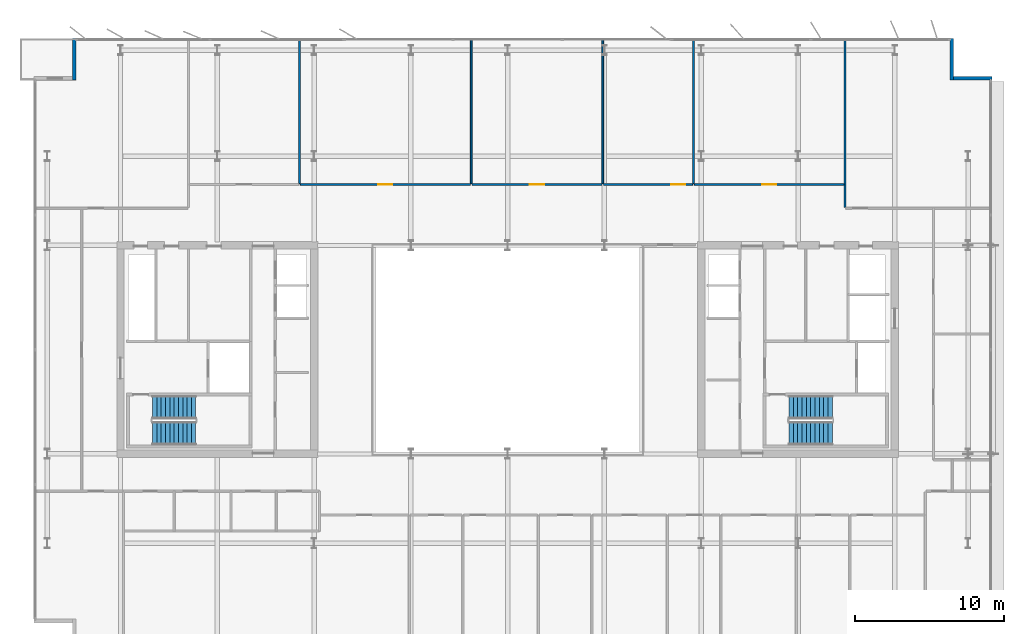
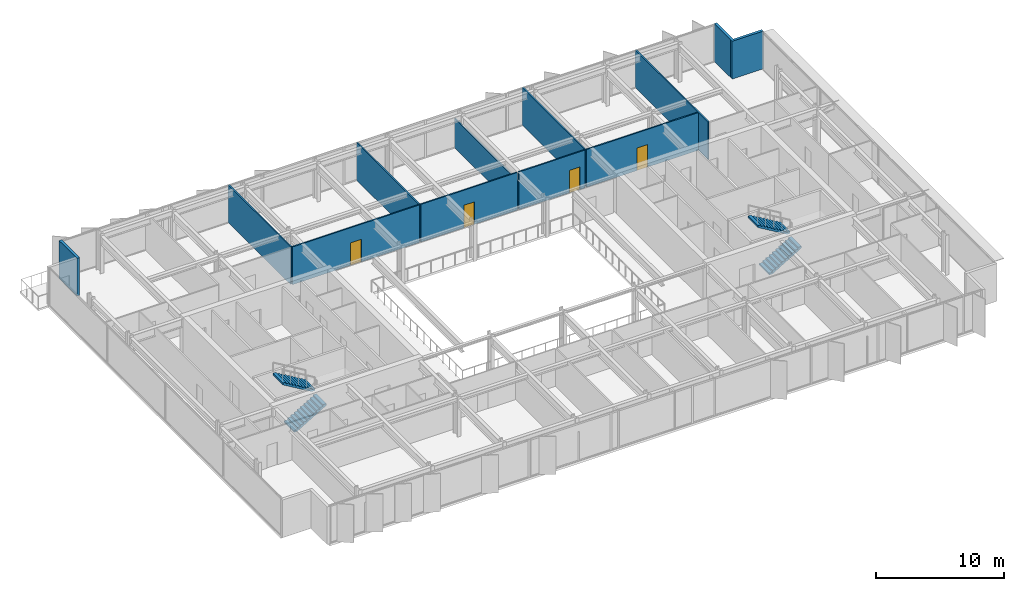
# One storey, part 16 of 20: 12 walls, 4 doors, 4 stair flights, 4 openings, 2 elements without a shape of their own.
"""IFC4 building model written with IfcOpenShell, lengths in metres."""

from ifc_helpers import new_model, si_unit, direction, frame, frame_2d, origin, place, context, subcontext, project, spatial, polyline, rectangle, outline, extrude, material, layer, layer_set, type_object, element, fill, aggregate, save


model = new_model("IFC4")

# Units and contexts
model_context = context("Model", 3, precision=1e-05, world=origin(), true_north=direction((0.0, 1.0)))
body_context = subcontext(model_context, "Body", "Model", "MODEL_VIEW")
ifc_project = project(units=[si_unit("LENGTHUNIT", "METRE"), si_unit("AREAUNIT", "SQUARE_METRE"), si_unit("VOLUMEUNIT", "CUBIC_METRE"), si_unit("PLANEANGLEUNIT", "RADIAN"), si_unit("MASSUNIT", "GRAM", prefix="KILO")], contexts=[model_context])

# Site, building, storey
site_placement = place(None, origin())
site = spatial("IfcSite", under=ifc_project, at=site_placement, CompositionType="ELEMENT")
building_placement = place(site_placement, origin())
building = spatial("IfcBuilding", under=site, at=building_placement, Name="Putna Gate Headquarters", CompositionType="ELEMENT")
storey_placement = place(building_placement, frame((0.0, 0.0, 270.800048828125)))
storey = spatial("IfcBuildingStorey", under=building, at=storey_placement, Name="L68", CompositionType="ELEMENT", Elevation=270.800048828125)

# Walls
ifc_material_1 = material(Name="Precast concrete C40/50", Category="concrete")
ifc_layer_1 = layer(ifc_material_1, 0.239990234375)
ifc_layer_set_1 = layer_set([ifc_layer_1], Name="Precast concrete C40/50")
wall_type_1 = type_object("IfcWallType", Name="WALL-EXT-TERR-240", PredefinedType="STANDARD", material=ifc_layer_set_1)
for number, where, z_axis, x_axis, name in (
    (1, (9.8798828125, 44.10009765625, 0.0), (0.0, 0.0, 1.0), (0.0, 1.0, 0.0), "L68 Corner Notch Return Wall NW-V"),
    (2, (68.832763671875, 46.89990234375, 0.0), (0.0, 0.0, 1.0), (0.0, -1.0, 0.0), "L68 Corner Notch Return Wall NE-V"),
):
    element("IfcWall", number, at=place(storey_placement, frame(where, z_axis=z_axis, x_axis=x_axis)), inside=storey, type_object=wall_type_1, Name=name, PredefinedType="STANDARD", context=body_context, shape_type="SweptSolid", body=[
        extrude(rectangle(XDim=2.7998046875, YDim=0.239990234375, at=frame_2d((1.39990234375, 0.0))), origin(), (0.0, 0.0, 1.0), 3.587890625),
    ])
wall_1_placement = place(storey_placement, frame((68.712646484375, 44.219970703125, 0.0), z_axis=(0.0, 0.0, 1.0), x_axis=(1.0, 0.0, 0.0)))
element("IfcWall", 3, at=wall_1_placement, inside=storey, type_object=wall_type_1, Name="L68 Corner Notch Return Wall NE-H", PredefinedType="STANDARD", context=body_context, shape_type="SweptSolid", body=[
    extrude(rectangle(XDim=2.800048828125, YDim=0.239990234375, at=frame_2d((1.39990234375, 0.0))), origin(), (0.0, 0.0, 1.0), 3.587890625),
])
ifc_material_2 = material(Name="Acoustic gypsum board on metal stud")
ifc_layer_2 = layer(ifc_material_2, 0.1201171875)
ifc_layer_set_2 = layer_set([ifc_layer_2], Name="Acoustic gypsum board on metal stud")
wall_type_2 = type_object("IfcWallType", Name="WALL-PART-120", PredefinedType="PARTITIONING", material=ifc_layer_set_2)
for number, where, z_axis, x_axis, name in (
    (4, (25.018310546875, 37.159912109375, 0.0), (0.0, 0.0, 1.0), (0.0, 1.0, 0.0), "L68 Interior Wall PART-L68-NB-DIV-02"),
    (5, (36.5615234375, 37.159912109375, 0.0), (0.0, 0.0, 1.0), (0.0, 1.0, 0.0), "L68 Interior Wall PART-L68-NB-DIV-03"),
):
    element("IfcWall", number, at=place(storey_placement, frame(where, z_axis=z_axis, x_axis=x_axis)), inside=storey, type_object=wall_type_2, Name=name, PredefinedType="PARTITIONING", context=body_context, shape_type="SweptSolid", body=[
        extrude(rectangle(XDim=9.719970703125, YDim=0.1201171875, at=frame_2d((4.85986328125, 0.0))), origin(), (0.0, 0.0, 1.0), 3.587890625),
    ])
wall_2_placement = place(storey_placement, frame((45.380615234375, 37.159912109375, 0.0), z_axis=(0.0, 0.0, 1.0), x_axis=(0.0, 1.0, 0.0)))
element("IfcWall", 6, at=wall_2_placement, inside=storey, type_object=wall_type_2, Name="L68 Interior Wall PART-L68-NB-DIV-04", PredefinedType="PARTITIONING", context=body_context, shape_type="SweptSolid", body=[
    extrude(rectangle(XDim=9.719970703125, YDim=0.1201171875, at=frame_2d((4.85986328125, 0.0))), origin(), (0.0, 0.0, 1.0), 2.787841796875),
])
wall_3_placement = place(storey_placement, frame((51.475341796875, 37.159912109375, 0.0), z_axis=(0.0, 0.0, 1.0), x_axis=(0.0, 1.0, 0.0)))
element("IfcWall", 7, at=wall_3_placement, inside=storey, type_object=wall_type_2, Name="L68 Interior Wall PART-L68-NB-DIV-05", PredefinedType="PARTITIONING", context=body_context, shape_type="SweptSolid", body=[
    extrude(rectangle(XDim=9.719970703125, YDim=0.1201171875, at=frame_2d((4.85986328125, 0.0))), origin(), (0.0, 0.0, 1.0), 3.587890625),
])
wall_4_placement = place(storey_placement, frame((61.65673828125, 35.56005859375, 0.0), z_axis=(0.0, 0.0, 1.0), x_axis=(0.0, 1.0, 0.0)))
element("IfcWall", 8, at=wall_4_placement, inside=storey, type_object=wall_type_2, Name="L68 Interior Wall PART-L68-NB-DIV-06", PredefinedType="PARTITIONING", context=body_context, shape_type="SweptSolid", body=[
    extrude(rectangle(XDim=11.31982421875, YDim=0.1201171875, at=frame_2d((5.659912109375, 0.0))), origin(), (0.0, 0.0, 1.0), 3.587890625),
])

# Wall, opening, door
ifc_material_3 = material(Name="Fire-rated gypsum board on metal stud")
ifc_layer_3 = layer(ifc_material_3, 0.1201171875)
ifc_layer_set_3 = layer_set([ifc_layer_3], Name="Fire-rated gypsum board on metal stud")
wall_type_3 = type_object("IfcWallType", Name="WALL-PART-120-RATED", PredefinedType="PARTITIONING", material=ifc_layer_set_3)
wall_5_placement = place(storey_placement, frame((25.078125, 37.10009765625, 0.0), z_axis=(0.0, 0.0, 1.0), x_axis=(1.0, 0.0, 0.0)))
wall_5 = element("IfcWall", 9, at=wall_5_placement, inside=storey, type_object=wall_type_3, Name="L68 Interior Wall PART-L68-NB-CW-03", PredefinedType="PARTITIONING", context=body_context, shape_type="SweptSolid", body=[
    extrude(rectangle(XDim=11.423583984375, YDim=0.1201171875, at=frame_2d((5.7119140625, 0.0))), origin(), (0.0, 0.0, 1.0), 3.587890625),
])
opening_1_placement = place(wall_5_placement, frame((5.23681640625, 0.0, 0.0)))
opening_1 = element("IfcOpeningElement", 10, at=opening_1_placement, cuts=wall_5, Name="Opening FD-95", PredefinedType="OPENING", context=body_context, shape_type="SweptSolid", body=[
    extrude(rectangle(XDim=0.949951171875, YDim=2.14990234375, at=frame_2d((0.47509765625, 1.074951171875))), frame((0.0, 0.070068359375, 0.0), z_axis=(0.0, -1.0, 0.0), x_axis=(1.0, 0.0, 0.0)), (0.0, 0.0, 1.0), 0.14013671875),
])
ifc_material_4 = material(Name="Acoustic timber fire door", Category="wood")
door_type = type_object("IfcDoorType", Name="DOOR-FIRE-950", OperationType="NOTDEFINED", PredefinedType="DOOR", material=ifc_material_4)
door_1_placement = place(opening_1_placement, origin())
door_1 = element("IfcDoor", 11, at=door_1_placement, inside=storey, type_object=door_type, Name="L68 Cellular Office 1 Door", OperationType="SINGLE_SWING_RIGHT", OverallHeight=2.14990234375, OverallWidth=0.949951171875, PredefinedType="DOOR", context=body_context, shape_type="SweptSolid", body=[
    extrude(rectangle(XDim=0.949951171875, YDim=2.14990234375, at=frame_2d((0.47509765625, 1.074951171875))), frame((0.0, 0.02490234375, 0.0), z_axis=(0.0, -1.0, 0.0), x_axis=(1.0, 0.0, 0.0)), (0.0, 0.0, 1.0), 0.050048828125),
])
fill(opening_1, door_1)

wall_6_placement = place(storey_placement, frame((36.62158203125, 37.10009765625, 0.0), z_axis=(0.0, 0.0, 1.0), x_axis=(1.0, 0.0, 0.0)))
wall_6 = element("IfcWall", 12, at=wall_6_placement, inside=storey, type_object=wall_type_3, Name="L68 Interior Wall PART-L68-NB-CW-04", PredefinedType="PARTITIONING", context=body_context, shape_type="SweptSolid", body=[
    extrude(rectangle(XDim=8.69921875, YDim=0.1201171875, at=frame_2d((4.349609375, 0.0))), origin(), (0.0, 0.0, 1.0), 3.587890625),
])
opening_2_placement = place(wall_6_placement, frame((3.87451171875, 0.0, 0.0)))
opening_2 = element("IfcOpeningElement", 13, at=opening_2_placement, cuts=wall_6, Name="Opening FD-95", PredefinedType="OPENING", context=body_context, shape_type="SweptSolid", body=[
    extrude(rectangle(XDim=0.949951171875, YDim=2.14990234375, at=frame_2d((0.47509765625, 1.074951171875))), frame((0.0, 0.070068359375, 0.0), z_axis=(0.0, -1.0, 0.0), x_axis=(1.0, 0.0, 0.0)), (0.0, 0.0, 1.0), 0.14013671875),
])
door_2_placement = place(opening_2_placement, origin())
door_2 = element("IfcDoor", 14, at=door_2_placement, inside=storey, type_object=door_type, Name="L68 Cellular Office 2 Door", OperationType="SINGLE_SWING_LEFT", OverallHeight=2.14990234375, OverallWidth=0.949951171875, PredefinedType="DOOR", context=body_context, shape_type="SweptSolid", body=[
    extrude(rectangle(XDim=0.949951171875, YDim=2.14990234375, at=frame_2d((0.47509765625, 1.074951171875))), frame((0.0, 0.02490234375, 0.0), z_axis=(0.0, -1.0, 0.0), x_axis=(1.0, 0.0, 0.0)), (0.0, 0.0, 1.0), 0.050048828125),
])
fill(opening_2, door_2)

wall_7_placement = place(storey_placement, frame((45.440673828125, 37.10009765625, 0.0), z_axis=(0.0, 0.0, 1.0), x_axis=(1.0, 0.0, 0.0)))
wall_7 = element("IfcWall", 15, at=wall_7_placement, inside=storey, type_object=wall_type_3, Name="L68 Interior Wall PART-L68-NB-CW-05", PredefinedType="PARTITIONING", context=body_context, shape_type="SweptSolid", body=[
    extrude(rectangle(XDim=5.974609375, YDim=0.1201171875, at=frame_2d((2.9873046875, 0.0))), origin(), (0.0, 0.0, 1.0), 3.587890625),
])
opening_3_placement = place(wall_7_placement, frame((4.544677734375, 0.0, 0.0)))
opening_3 = element("IfcOpeningElement", 16, at=opening_3_placement, cuts=wall_7, Name="Opening FD-95", PredefinedType="OPENING", context=body_context, shape_type="SweptSolid", body=[
    extrude(rectangle(XDim=0.949951171875, YDim=2.14990234375, at=frame_2d((0.47509765625, 1.074951171875))), frame((0.0, 0.070068359375, 0.0), z_axis=(0.0, -1.0, 0.0), x_axis=(1.0, 0.0, 0.0)), (0.0, 0.0, 1.0), 0.14013671875),
])
door_3_placement = place(opening_3_placement, origin())
door_3 = element("IfcDoor", 17, at=door_3_placement, inside=storey, type_object=door_type, Name="L68 Cellular Office 3 Door", OperationType="SINGLE_SWING_RIGHT", OverallHeight=2.14990234375, OverallWidth=0.949951171875, PredefinedType="DOOR", context=body_context, shape_type="SweptSolid", body=[
    extrude(rectangle(XDim=0.949951171875, YDim=2.14990234375, at=frame_2d((0.47509765625, 1.074951171875))), frame((0.0, 0.02490234375, 0.0), z_axis=(0.0, -1.0, 0.0), x_axis=(1.0, 0.0, 0.0)), (0.0, 0.0, 1.0), 0.050048828125),
])
fill(opening_3, door_3)

wall_8_placement = place(storey_placement, frame((51.535400390625, 37.10009765625, 0.0), z_axis=(0.0, 0.0, 1.0), x_axis=(1.0, 0.0, 0.0)))
wall_8 = element("IfcWall", 18, at=wall_8_placement, inside=storey, type_object=wall_type_3, Name="L68 Interior Wall PART-L68-NB-CW-06", PredefinedType="PARTITIONING", context=body_context, shape_type="SweptSolid", body=[
    extrude(rectangle(XDim=10.061279296875, YDim=0.1201171875, at=frame_2d((5.03076171875, 0.0))), origin(), (0.0, 0.0, 1.0), 3.587890625),
])
opening_4_placement = place(wall_8_placement, frame((4.5556640625, 0.0, 0.0)))
opening_4 = element("IfcOpeningElement", 19, at=opening_4_placement, cuts=wall_8, Name="Opening FD-95", PredefinedType="OPENING", context=body_context, shape_type="SweptSolid", body=[
    extrude(rectangle(XDim=0.949951171875, YDim=2.14990234375, at=frame_2d((0.47509765625, 1.074951171875))), frame((0.0, 0.070068359375, 0.0), z_axis=(0.0, -1.0, 0.0), x_axis=(1.0, 0.0, 0.0)), (0.0, 0.0, 1.0), 0.14013671875),
])
door_4_placement = place(opening_4_placement, origin())
door_4 = element("IfcDoor", 20, at=door_4_placement, inside=storey, type_object=door_type, Name="L68 Cellular Office 4 Door", OperationType="SINGLE_SWING_LEFT", OverallHeight=2.14990234375, OverallWidth=0.949951171875, PredefinedType="DOOR", context=body_context, shape_type="SweptSolid", body=[
    extrude(rectangle(XDim=0.949951171875, YDim=2.14990234375, at=frame_2d((0.47509765625, 1.074951171875))), frame((0.0, 0.02490234375, 0.0), z_axis=(0.0, -1.0, 0.0), x_axis=(1.0, 0.0, 0.0)), (0.0, 0.0, 1.0), 0.050048828125),
])
fill(opening_4, door_4)

# Stair, stair flights
ifc_material_5 = material(Name="Concrete C40/50", Category="concrete")
stair_type_1 = type_object("IfcStairType", Name="STAIR-ST1", PredefinedType="HALF_TURN_STAIR", material=ifc_material_5)
stair_1_placement = place(storey_placement, origin())
stair_1 = element("IfcStair", 21, at=stair_1_placement, inside=storey, type_object=stair_type_1, Name="L68 West Core Exit Stair ST1", PredefinedType="HALF_TURN_STAIR")
stair_flight_type_1 = type_object("IfcStairFlightType", Name="FLIGHT-ST1", PredefinedType="STRAIGHT", material=ifc_material_5)
stair_flight_1_placement = place(storey_placement, frame((15.14990234375, 20.375, 0.0), z_axis=(0.0, 0.0, 1.0), x_axis=(1.0, 0.0, 0.0)))
stair_flight_1 = element("IfcStairFlight", 22, at=stair_flight_1_placement, type_object=stair_flight_type_1, Name="ST1 flight 1", NumberOfRisers=11, NumberOfTreads=10, PredefinedType="STRAIGHT", RiserHeight=0.172727273, TreadLength=0.29, context=body_context, shape_type="SweptSolid", body=[
    extrude(outline(polyline([(0.0, 0.0), (0.0, 0.172607421875), (0.2900390625, 0.172607421875), (0.2900390625, 0.345458984375), (0.580078125, 0.345458984375), (0.580078125, 0.51806640625), (0.8701171875, 0.51806640625), (0.8701171875, 0.69091796875), (1.159912109375, 0.69091796875), (1.159912109375, 0.863525390625), (1.449951171875, 0.863525390625), (1.449951171875, 1.036376953125), (1.739990234375, 1.036376953125), (1.739990234375, 1.208984375), (2.030029296875, 1.208984375), (2.030029296875, 1.3818359375), (2.320068359375, 1.3818359375), (2.320068359375, 1.554443359375), (2.610107421875, 1.554443359375), (2.610107421875, 1.727294921875), (2.89990234375, 1.727294921875), (2.89990234375, 1.89990234375), (2.89990234375, 1.552734375), (0.29296875, 0.0), (0.0, 0.0)])), frame((0.0, 0.77490234375, 0.0), z_axis=(0.0, -1.0, 0.0), x_axis=(1.0, 0.0, 0.0)), (0.0, 0.0, 1.0), 1.550048828125),
])
stair_flight_2_placement = place(storey_placement, frame((18.050048828125, 22.125, 1.89990234375), z_axis=(0.0, 0.0, 1.0), x_axis=(-1.0, 0.0, 0.0)))
stair_flight_2 = element("IfcStairFlight", 23, at=stair_flight_2_placement, type_object=stair_flight_type_1, Name="ST1 flight 2", NumberOfRisers=11, NumberOfTreads=10, PredefinedType="STRAIGHT", RiserHeight=0.172727273, TreadLength=0.29, context=body_context, shape_type="SweptSolid", body=[
    extrude(outline(polyline([(0.0, 0.0), (0.0, 0.172607421875), (0.2900390625, 0.172607421875), (0.2900390625, 0.345458984375), (0.580078125, 0.345458984375), (0.580078125, 0.51806640625), (0.8701171875, 0.51806640625), (0.8701171875, 0.69091796875), (1.159912109375, 0.69091796875), (1.159912109375, 0.863525390625), (1.449951171875, 0.863525390625), (1.449951171875, 1.036376953125), (1.739990234375, 1.036376953125), (1.739990234375, 1.208984375), (2.030029296875, 1.208984375), (2.030029296875, 1.3818359375), (2.320068359375, 1.3818359375), (2.320068359375, 1.554443359375), (2.610107421875, 1.554443359375), (2.610107421875, 1.727294921875), (2.89990234375, 1.727294921875), (2.89990234375, 1.89990234375), (2.89990234375, 1.552734375), (0.29296875, 0.0), (0.0, 0.0)])), frame((0.0, 0.77490234375, 0.0), z_axis=(0.0, -1.0, 0.0), x_axis=(1.0, 0.0, 0.0)), (0.0, 0.0, 1.0), 1.550048828125),
])
aggregate(stair_1, [stair_flight_1, stair_flight_2])

stair_type_2 = type_object("IfcStairType", Name="STAIR-ST2", PredefinedType="HALF_TURN_STAIR", material=ifc_material_5)
stair_2_placement = place(storey_placement, origin())
stair_2 = element("IfcStair", 24, at=stair_2_placement, inside=storey, type_object=stair_type_2, Name="L68 East Core Exit Stair ST2", PredefinedType="HALF_TURN_STAIR")
stair_flight_type_2 = type_object("IfcStairFlightType", Name="FLIGHT-ST2", PredefinedType="STRAIGHT", material=ifc_material_5)
stair_flight_3_placement = place(storey_placement, frame((57.89990234375, 20.375, 0.0), z_axis=(0.0, 0.0, 1.0), x_axis=(1.0, 0.0, 0.0)))
stair_flight_3 = element("IfcStairFlight", 25, at=stair_flight_3_placement, type_object=stair_flight_type_2, Name="ST2 flight 1", NumberOfRisers=11, NumberOfTreads=10, PredefinedType="STRAIGHT", RiserHeight=0.172727273, TreadLength=0.29, context=body_context, shape_type="SweptSolid", body=[
    extrude(outline(polyline([(0.0, 0.0), (0.0, 0.172607421875), (0.2900390625, 0.172607421875), (0.2900390625, 0.345458984375), (0.580078125, 0.345458984375), (0.580078125, 0.51806640625), (0.8701171875, 0.51806640625), (0.8701171875, 0.69091796875), (1.159912109375, 0.69091796875), (1.159912109375, 0.863525390625), (1.449951171875, 0.863525390625), (1.449951171875, 1.036376953125), (1.739990234375, 1.036376953125), (1.739990234375, 1.208984375), (2.030029296875, 1.208984375), (2.030029296875, 1.3818359375), (2.320068359375, 1.3818359375), (2.320068359375, 1.554443359375), (2.610107421875, 1.554443359375), (2.610107421875, 1.727294921875), (2.89990234375, 1.727294921875), (2.89990234375, 1.89990234375), (2.89990234375, 1.552734375), (0.29296875, 0.0), (0.0, 0.0)])), frame((0.0, 0.77490234375, 0.0), z_axis=(0.0, -1.0, 0.0), x_axis=(1.0, 0.0, 0.0)), (0.0, 0.0, 1.0), 1.550048828125),
])
stair_flight_4_placement = place(storey_placement, frame((60.800048828125, 22.125, 1.89990234375), z_axis=(0.0, 0.0, 1.0), x_axis=(-1.0, 0.0, 0.0)))
stair_flight_4 = element("IfcStairFlight", 26, at=stair_flight_4_placement, type_object=stair_flight_type_2, Name="ST2 flight 2", NumberOfRisers=11, NumberOfTreads=10, PredefinedType="STRAIGHT", RiserHeight=0.172727273, TreadLength=0.29, context=body_context, shape_type="SweptSolid", body=[
    extrude(outline(polyline([(0.0, 0.0), (0.0, 0.172607421875), (0.2900390625, 0.172607421875), (0.2900390625, 0.345458984375), (0.580078125, 0.345458984375), (0.580078125, 0.51806640625), (0.8701171875, 0.51806640625), (0.8701171875, 0.69091796875), (1.159912109375, 0.69091796875), (1.159912109375, 0.863525390625), (1.449951171875, 0.863525390625), (1.449951171875, 1.036376953125), (1.739990234375, 1.036376953125), (1.739990234375, 1.208984375), (2.030029296875, 1.208984375), (2.030029296875, 1.3818359375), (2.320068359375, 1.3818359375), (2.320068359375, 1.554443359375), (2.610107421875, 1.554443359375), (2.610107421875, 1.727294921875), (2.89990234375, 1.727294921875), (2.89990234375, 1.89990234375), (2.89990234375, 1.552734375), (0.29296875, 0.0), (0.0, 0.0)])), frame((0.0, 0.77490234375, 0.0), z_axis=(0.0, -1.0, 0.0), x_axis=(1.0, 0.0, 0.0)), (0.0, 0.0, 1.0), 1.550048828125),
])
aggregate(stair_2, [stair_flight_3, stair_flight_4])

save(model, "model.ifc")
